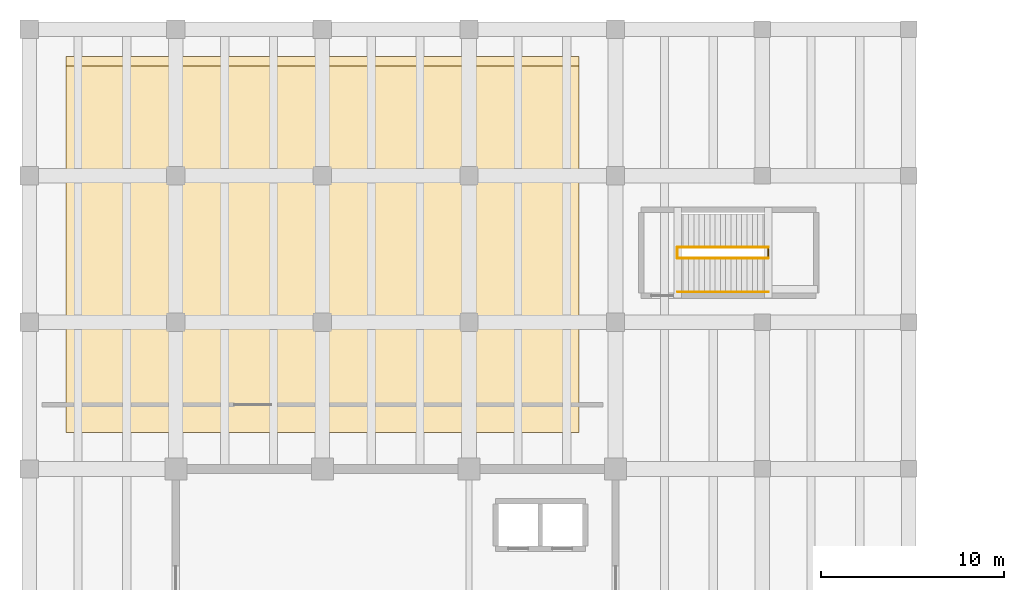
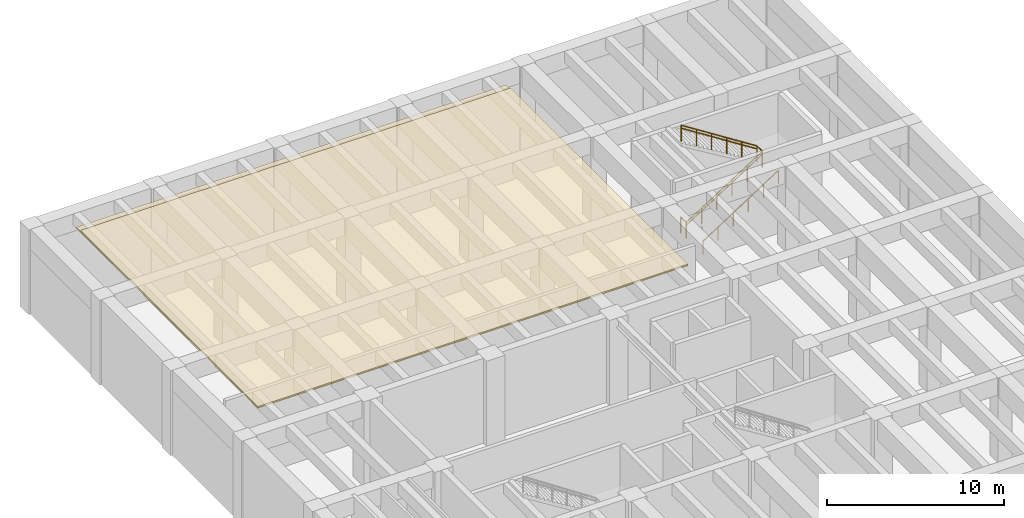
# One storey, part 22 of 24: 6 railings, 2 coverings.
"""IFC4 building model written with IfcOpenShell, lengths in metres."""

from ifc_helpers import new_model, si_unit, direction, frame, origin, origin_2d, place, context, subcontext, project, spatial, polyline, circle, outline, extrude, material, layer, layer_set, type_object, element, save


model = new_model("IFC4")

# Units and contexts
model_context = context("Model", 3, precision=1e-05, world=origin(), true_north=direction((0.0, 1.0)))
body_context = subcontext(model_context, "Body", "Model", "MODEL_VIEW")
ifc_project = project(units=[si_unit("LENGTHUNIT", "METRE"), si_unit("AREAUNIT", "SQUARE_METRE"), si_unit("VOLUMEUNIT", "CUBIC_METRE"), si_unit("PLANEANGLEUNIT", "RADIAN"), si_unit("MASSUNIT", "GRAM", prefix="KILO")], contexts=[model_context])

# Site, building, storey
site_placement = place(None, origin())
site = spatial("IfcSite", under=ifc_project, at=site_placement, CompositionType="ELEMENT")
building_placement = place(site_placement, origin())
building = spatial("IfcBuilding", under=site, at=building_placement, Name="Varnela Railside Interchange", CompositionType="ELEMENT")
storey_placement = place(building_placement, frame((0.0, 0.0, -6.300048828125)))
storey = spatial("IfcBuildingStorey", under=building, at=storey_placement, Name="B1", CompositionType="ELEMENT", Elevation=-6.300048828125)

# Coverings
ifc_material_1 = material(Name="Concrete C40 precast", Category="concrete")
ifc_layer_1 = layer(ifc_material_1, 0.050048828125)
ifc_layer_set_1 = layer_set([ifc_layer_1], Name="Concrete C40 precast")
covering_type_1 = type_object("IfcCoveringType", Name="Board-Formed Concrete Cladding Liner CV-CLD", PredefinedType="CLADDING", material=ifc_layer_set_1)
covering_1_placement = place(storey_placement, frame((0.0, 0.0, 5.719970703125)))
element("IfcCovering", 1, at=covering_1_placement, inside=storey, type_object=covering_type_1, Name="Board-Formed Concrete Cladding Liner CV-CLD", PredefinedType="CLADDING", context=body_context, shape_type="SweptSolid", body=[
    extrude(outline(polyline([(6.0, 72.0), (34.0, 72.0), (34.0, 92.5), (6.0, 92.5), (6.0, 72.0)])), origin(), (0.0, 0.0, 1.0), 0.050048828125),
])
ifc_material_2 = material(Name="Mineral wool acoustic")
ifc_layer_2 = layer(ifc_material_2, 0.080078125)
ifc_layer_set_2 = layer_set([ifc_layer_2], Name="Mineral wool acoustic")
covering_type_2 = type_object("IfcCoveringType", Name="Mineral Wool Soffit Insulation CV-INS", PredefinedType="INSULATION", material=ifc_layer_set_2)
covering_2_placement = place(storey_placement, frame((0.0, 0.0, 5.77001953125)))
element("IfcCovering", 2, at=covering_2_placement, inside=storey, type_object=covering_type_2, Name="Mineral Wool Soffit Insulation CV-INS", PredefinedType="INSULATION", context=body_context, shape_type="SweptSolid", body=[
    extrude(outline(polyline([(6.0, 72.0), (34.0, 72.0), (34.0, 92.0), (6.0, 92.0), (6.0, 72.0)])), origin(), (0.0, 0.0, 1.0), 0.080078125),
])

# Railings
ifc_material_3 = material(Name="Steel AR 350 (350 MPa)", Category="steel")
railing_type_1 = type_object("IfcRailingType", Name="Stair & Ramp Pitch Handrail HR-01", PredefinedType="HANDRAIL", material=ifc_material_3)
railing_1_placement = place(storey_placement, frame((39.39990234375, 81.5, 0.0)))
element("IfcRailing", 3, at=railing_1_placement, inside=storey, type_object=railing_type_1, Name="Stair Handrail ST-W1 Flight 1 (RL-0157)", PredefinedType="HANDRAIL", context=body_context, shape_type="SweptSolid", body=[
    extrude(circle(Radius=0.02392578125, at=origin_2d()), frame((0.0, 0.0, 0.89599609375), z_axis=(0.84267206767, 0.0, 0.538427141188), x_axis=(0.0, 1.0, 0.0)), (0.0, 0.0, 1.0), 5.8505859375),
    extrude(circle(Radius=0.02099609375, at=origin_2d()), origin(), (0.0, 0.0, 1.0), 0.871826171875),
    extrude(circle(Radius=0.02099609375, at=origin_2d()), frame((0.986083984375, 0.0, 0.630126953125)), (0.0, 0.0, 1.0), 0.871826171875),
    extrude(circle(Radius=0.02099609375, at=origin_2d()), frame((1.97216796875, 0.0, 1.260009765625)), (0.0, 0.0, 1.0), 0.871826171875),
    extrude(circle(Radius=0.02099609375, at=origin_2d()), frame((2.9580078125, 0.0, 1.89013671875)), (0.0, 0.0, 1.0), 0.871826171875),
    extrude(circle(Radius=0.02099609375, at=origin_2d()), frame((3.944091796875, 0.0, 2.52001953125)), (0.0, 0.0, 1.0), 0.871826171875),
    extrude(circle(Radius=0.02099609375, at=origin_2d()), frame((4.93017578125, 0.0, 3.150146484375)), (0.0, 0.0, 1.0), 0.871826171875),
])
railing_2_placement = place(storey_placement, frame((44.330078125, 82.10009765625, 3.150146484375)))
element("IfcRailing", 4, at=railing_2_placement, inside=storey, type_object=railing_type_1, Name="Stair Handrail ST-W1 Flight 2 (RL-0158)", PredefinedType="HANDRAIL", context=body_context, shape_type="SweptSolid", body=[
    extrude(circle(Radius=0.02392578125, at=origin_2d()), frame((0.0, 0.0, 0.89599609375), z_axis=(-0.842691000677, 0.0, 0.538397508703), x_axis=(0.0, -1.0, 0.0)), (0.0, 0.0, 1.0), 5.8505859375),
    extrude(circle(Radius=0.02099609375, at=origin_2d()), origin(), (0.0, 0.0, 1.0), 0.871826171875),
    extrude(circle(Radius=0.02099609375, at=origin_2d()), frame((-0.986083984375, 0.0, 0.6298828125)), (0.0, 0.0, 1.0), 0.871826171875),
    extrude(circle(Radius=0.02099609375, at=origin_2d()), frame((-1.97216796875, 0.0, 1.260009765625)), (0.0, 0.0, 1.0), 0.871826171875),
    extrude(circle(Radius=0.02099609375, at=origin_2d()), frame((-2.9580078125, 0.0, 1.889892578125)), (0.0, 0.0, 1.0), 0.871826171875),
    extrude(circle(Radius=0.02099609375, at=origin_2d()), frame((-3.944091796875, 0.0, 2.52001953125)), (0.0, 0.0, 1.0), 0.871826171875),
    extrude(circle(Radius=0.02099609375, at=origin_2d()), frame((-4.93017578125, 0.0, 3.14990234375)), (0.0, 0.0, 1.0), 0.871826171875),
])
railing_type_2 = type_object("IfcRailingType", Name="Stair Well & Landing Guard GR-02", PredefinedType="GUARDRAIL", material=ifc_material_3)
railing_3_placement = place(storey_placement, frame((39.3701171875, 81.5, 0.0)))
element("IfcRailing", 5, at=railing_3_placement, inside=storey, type_object=railing_type_2, Name="Stair Well Slot Guard ST-W1 on B1 (RL-0121)", PredefinedType="GUARDRAIL", context=body_context, shape_type="SweptSolid", body=[
    extrude(circle(Radius=0.02392578125, at=origin_2d()), frame((0.0, 0.0, 1.09619140625), z_axis=(0.0, 1.0, 0.0), x_axis=(-1.0, 0.0, 0.0)), (0.0, 0.0, 1.0), 0.60009765625),
    extrude(circle(Radius=0.02099609375, at=origin_2d()), origin(), (0.0, 0.0, 1.0), 1.072021484375),
    extrude(circle(Radius=0.02099609375, at=origin_2d()), frame((0.0, 0.60009765625, 0.0)), (0.0, 0.0, 1.0), 1.072021484375),
])
railing_4_placement = place(storey_placement, frame((39.39990234375, 81.5, 0.0)))
element("IfcRailing", 6, at=railing_4_placement, inside=storey, type_object=railing_type_2, Name="Stair Guard ST-W1 Half-Landing (RL-0119)", PredefinedType="GUARDRAIL", context=body_context, shape_type="SweptSolid", body=[
    extrude(circle(Radius=0.02392578125, at=origin_2d()), frame((0.0, 0.0, 1.09619140625), z_axis=(0.84267206767, 0.0, 0.538427141188), x_axis=(0.0, 1.0, 0.0)), (0.0, 0.0, 1.0), 5.8505859375),
    extrude(circle(Radius=0.02392578125, at=origin_2d()), frame((4.93017578125, 0.0, 4.24609375), z_axis=(0.0, 1.0, 0.0), x_axis=(-1.0, 0.0, 0.0)), (0.0, 0.0, 1.0), 0.60009765625),
    extrude(circle(Radius=0.02099609375, at=origin_2d()), origin(), (0.0, 0.0, 1.0), 1.072021484375),
    extrude(circle(Radius=0.02099609375, at=origin_2d()), frame((0.986083984375, 0.0, 0.630126953125)), (0.0, 0.0, 1.0), 1.072021484375),
    extrude(circle(Radius=0.02099609375, at=origin_2d()), frame((1.97216796875, 0.0, 1.260009765625)), (0.0, 0.0, 1.0), 1.072021484375),
    extrude(circle(Radius=0.02099609375, at=origin_2d()), frame((2.9580078125, 0.0, 1.89013671875)), (0.0, 0.0, 1.0), 1.072021484375),
    extrude(circle(Radius=0.02099609375, at=origin_2d()), frame((3.944091796875, 0.0, 2.52001953125)), (0.0, 0.0, 1.0), 1.072021484375),
    extrude(circle(Radius=0.02099609375, at=origin_2d()), frame((4.93017578125, 0.0, 3.150146484375)), (0.0, 0.0, 1.0), 1.072021484375),
    extrude(circle(Radius=0.02099609375, at=origin_2d()), frame((4.93017578125, 0.60009765625, 3.150146484375)), (0.0, 0.0, 1.0), 1.072021484375),
])
railing_5_placement = place(storey_placement, frame((44.330078125, 82.10009765625, 3.150146484375)))
element("IfcRailing", 7, at=railing_5_placement, inside=storey, type_object=railing_type_2, Name="Stair Guard ST-W1 Upper Flight (RL-0120)", PredefinedType="GUARDRAIL", context=body_context, shape_type="SweptSolid", body=[
    extrude(circle(Radius=0.02392578125, at=origin_2d()), frame((0.0, 0.0, 1.09619140625), z_axis=(-0.842691000677, 0.0, 0.538397508703), x_axis=(0.0, -1.0, 0.0)), (0.0, 0.0, 1.0), 5.8505859375),
    extrude(circle(Radius=0.02099609375, at=origin_2d()), origin(), (0.0, 0.0, 1.0), 1.072021484375),
    extrude(circle(Radius=0.02099609375, at=origin_2d()), frame((-0.986083984375, 0.0, 0.6298828125)), (0.0, 0.0, 1.0), 1.072021484375),
    extrude(circle(Radius=0.02099609375, at=origin_2d()), frame((-1.97216796875, 0.0, 1.260009765625)), (0.0, 0.0, 1.0), 1.072021484375),
    extrude(circle(Radius=0.02099609375, at=origin_2d()), frame((-2.9580078125, 0.0, 1.889892578125)), (0.0, 0.0, 1.0), 1.072021484375),
    extrude(circle(Radius=0.02099609375, at=origin_2d()), frame((-3.944091796875, 0.0, 2.52001953125)), (0.0, 0.0, 1.0), 1.072021484375),
    extrude(circle(Radius=0.02099609375, at=origin_2d()), frame((-4.93017578125, 0.0, 3.14990234375)), (0.0, 0.0, 1.0), 1.072021484375),
])
railing_type_3 = type_object("IfcRailingType", Name="Wall-Mounted Stair Handrail HR-02", PredefinedType="HANDRAIL", material=ifc_material_3)
railing_6_placement = place(storey_placement, frame((39.39990234375, 79.659912109375, 0.0)))
element("IfcRailing", 8, at=railing_6_placement, inside=storey, type_object=railing_type_3, Name="Wall Handrail ST-W1 Flight 1 (RL-0172)", PredefinedType="HANDRAIL", context=body_context, shape_type="SweptSolid", body=[
    extrude(circle(Radius=0.02392578125, at=origin_2d()), frame((0.0, 0.0, 0.89599609375), z_axis=(0.84267206767, 0.0, 0.538427141188), x_axis=(0.0, 1.0, 0.0)), (0.0, 0.0, 1.0), 5.8505859375),
    extrude(circle(Radius=0.02099609375, at=origin_2d()), origin(), (0.0, 0.0, 1.0), 0.871826171875),
    extrude(circle(Radius=0.02099609375, at=origin_2d()), frame((0.986083984375, 0.0, 0.630126953125)), (0.0, 0.0, 1.0), 0.871826171875),
    extrude(circle(Radius=0.02099609375, at=origin_2d()), frame((1.97216796875, 0.0, 1.260009765625)), (0.0, 0.0, 1.0), 0.871826171875),
    extrude(circle(Radius=0.02099609375, at=origin_2d()), frame((2.9580078125, 0.0, 1.89013671875)), (0.0, 0.0, 1.0), 0.871826171875),
    extrude(circle(Radius=0.02099609375, at=origin_2d()), frame((3.944091796875, 0.0, 2.52001953125)), (0.0, 0.0, 1.0), 0.871826171875),
    extrude(circle(Radius=0.02099609375, at=origin_2d()), frame((4.93017578125, 0.0, 3.150146484375)), (0.0, 0.0, 1.0), 0.871826171875),
])

save(model, "model.ifc")
